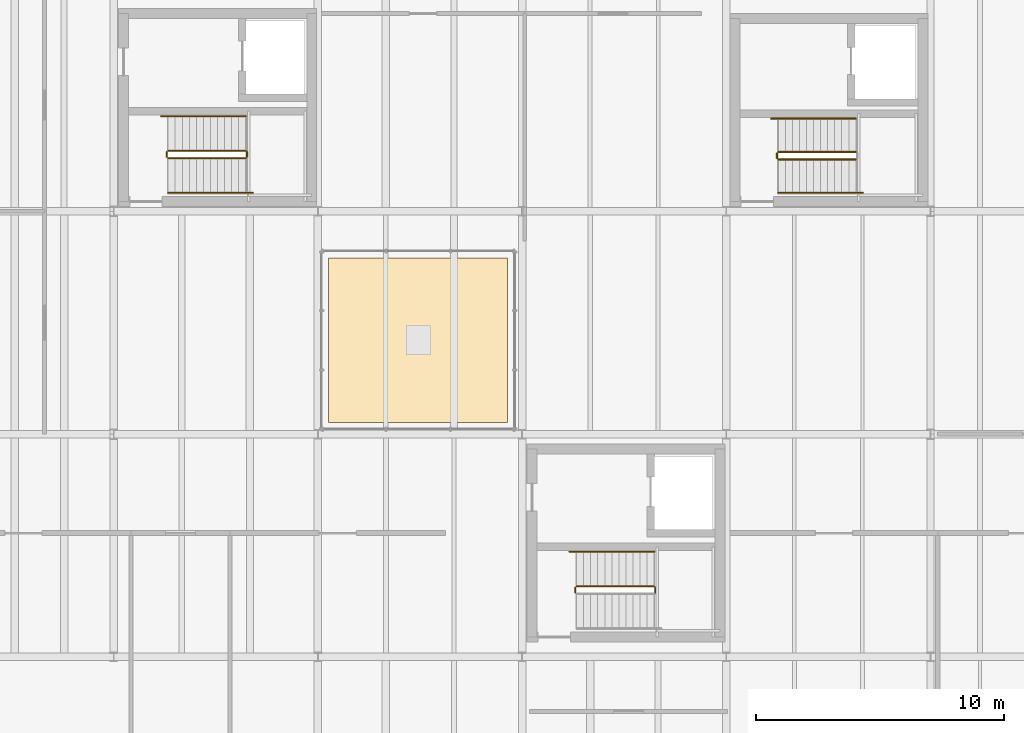
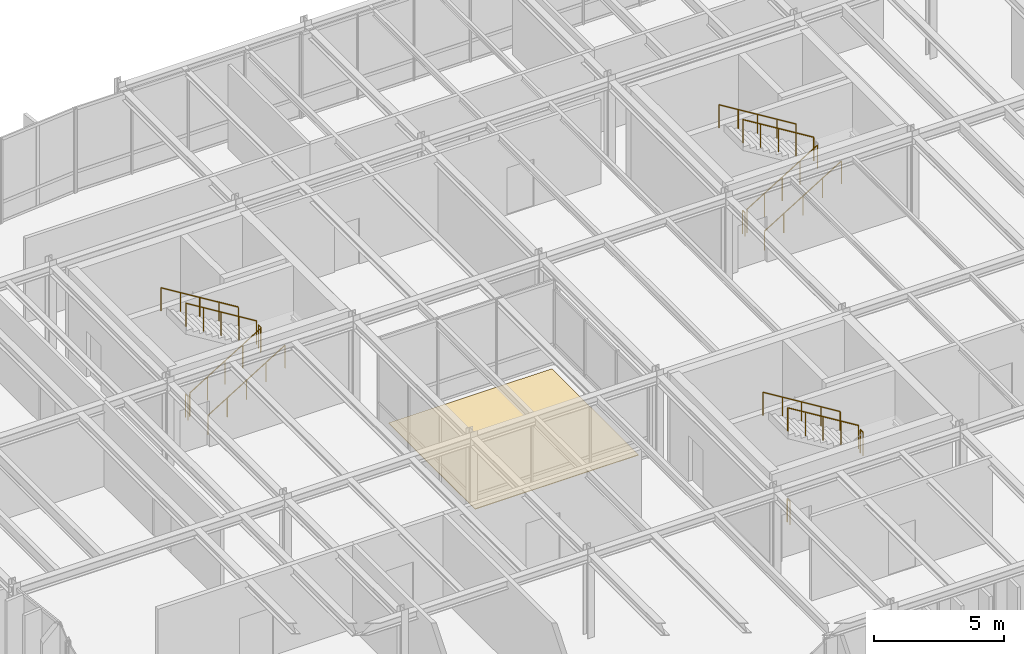
# One storey, part 27 of 31: 15 railings, 1 covering.
"""IFC4 building model written with IfcOpenShell, lengths in metres."""

from ifc_helpers import new_model, si_unit, direction, frame, origin, origin_2d, place, context, subcontext, project, spatial, polyline, circle, outline, extrude, material, layer, layer_set, type_object, element, save


model = new_model("IFC4")

# Units and contexts
model_context = context("Model", 3, precision=1e-05, world=origin(), true_north=direction((0.0, 1.0)))
body_context = subcontext(model_context, "Body", "Model", "MODEL_VIEW")
ifc_project = project(units=[si_unit("LENGTHUNIT", "METRE"), si_unit("AREAUNIT", "SQUARE_METRE"), si_unit("VOLUMEUNIT", "CUBIC_METRE"), si_unit("PLANEANGLEUNIT", "RADIAN"), si_unit("MASSUNIT", "GRAM", prefix="KILO")], contexts=[model_context])

# Site, building, storey
site_placement = place(None, origin())
site = spatial("IfcSite", under=ifc_project, at=site_placement, CompositionType="ELEMENT")
building_placement = place(site_placement, origin())
building = spatial("IfcBuilding", under=site, at=building_placement, Name="Montealbar Specialist Clinic", CompositionType="ELEMENT")
storey_placement = place(building_placement, frame((0.0, 0.0, 13.800048828125)))
storey = spatial("IfcBuildingStorey", under=building, at=storey_placement, Name="L03", CompositionType="ELEMENT", Elevation=13.800048828125)

# Covering
ifc_material_1 = material(Name="Weatherproof roofing membrane", Category="concrete")
ifc_layer_1 = layer(ifc_material_1, 0.030029296875, Name="Weatherproof roofing membrane", Category="concrete")
ifc_layer_set_1 = layer_set([ifc_layer_1], Name="Weatherproof roofing membrane")
covering_type = type_object("IfcCoveringType", Name="COV-ROOF-MEMB", PredefinedType="ROOFING", material=ifc_layer_set_1)
covering_placement = place(storey_placement, origin())
element("IfcCovering", 1, at=covering_placement, inside=storey, type_object=covering_type, Name="Weatherproof Roof Membrane ROOF-L03-03", PredefinedType="ROOFING", context=body_context, shape_type="SweptSolid", body=[
    extrude(outline(polyline([(74.679931640625, 25.1201171875), (81.919921875, 25.1201171875), (81.919921875, 18.47998046875), (74.679931640625, 18.47998046875), (74.679931640625, 25.1201171875)])), origin(), (0.0, 0.0, 1.0), 0.030029296875),
])

# Railings
ifc_material_2 = material(Name="Steel S355", Category="steel")
ifc_layer_2 = layer(ifc_material_2, 0.050048828125, Name="Steel S355", Category="steel")
ifc_layer_set_2 = layer_set([ifc_layer_2], Name="Steel S355")
railing_type_1 = type_object("IfcRailingType", Name="RAIL-STAIR-BAL-1100", PredefinedType="BALUSTRADE", material=ifc_layer_set_2)
railing_1_placement = place(storey_placement, frame((68.199951171875, 29.14990234375, 0.175048828125)))
element("IfcRailing", 2, at=railing_1_placement, inside=storey, type_object=railing_type_1, Name="L03 ST-03 stair guard 1", PredefinedType="BALUSTRADE", context=body_context, shape_type="SweptSolid", body=[
    extrude(circle(Radius=0.02392578125, at=origin_2d()), frame((0.0, 0.0, 1.076171875), z_axis=(0.852195625947, 0.0, 0.523223293744), x_axis=(0.0, 1.0, 0.0)), (0.0, 0.0, 1.0), 3.6787109375),
    extrude(circle(Radius=0.02099609375, at=origin_2d()), frame((0.0, 0.0, -0.02490234375)), (0.0, 0.0, 1.0), 1.076904296875),
    extrude(circle(Radius=0.02099609375, at=origin_2d()), frame((0.78369140625, 0.0, 0.456298828125)), (0.0, 0.0, 1.0), 1.076904296875),
    extrude(circle(Radius=0.02099609375, at=origin_2d()), frame((1.5673828125, 0.0, 0.9375)), (0.0, 0.0, 1.0), 1.076904296875),
    extrude(circle(Radius=0.02099609375, at=origin_2d()), frame((2.351318359375, 0.0, 1.418701171875)), (0.0, 0.0, 1.0), 1.076904296875),
    extrude(circle(Radius=0.02099609375, at=origin_2d()), frame((3.135009765625, 0.0, 1.89990234375)), (0.0, 0.0, 1.0), 1.076904296875),
])
railing_2_placement = place(storey_placement, frame((71.385009765625, 29.199951171875, 2.099853515625)))
element("IfcRailing", 3, at=railing_2_placement, inside=storey, type_object=railing_type_1, Name="L03 ST-03 stair guard 2", PredefinedType="BALUSTRADE", context=body_context, shape_type="SweptSolid", body=[
    extrude(circle(Radius=0.02392578125, at=origin_2d()), frame((0.0, 0.0, 1.076171875), z_axis=(0.0, 1.0, 0.0), x_axis=(-1.0, 0.0, 0.0)), (0.0, 0.0, 1.0), 0.199951171875),
    extrude(circle(Radius=0.02099609375, at=origin_2d()), frame((0.0, 0.0, -0.02490234375)), (0.0, 0.0, 1.0), 1.076904296875),
    extrude(circle(Radius=0.02099609375, at=origin_2d()), frame((0.0, 0.199951171875, -0.02490234375)), (0.0, 0.0, 1.0), 1.076904296875),
])
railing_3_placement = place(storey_placement, frame((71.3349609375, 29.449951171875, 2.27490234375)))
element("IfcRailing", 4, at=railing_3_placement, inside=storey, type_object=railing_type_1, Name="L03 ST-03 stair guard 3", PredefinedType="BALUSTRADE", context=body_context, shape_type="SweptSolid", body=[
    extrude(circle(Radius=0.02392578125, at=origin_2d()), frame((0.0, 0.0, 1.076171875), z_axis=(-0.852166034122, 0.0, 0.523271488128), x_axis=(0.0, -1.0, 0.0)), (0.0, 0.0, 1.0), 3.678955078125),
    extrude(circle(Radius=0.02099609375, at=origin_2d()), frame((0.0, 0.0, -0.02490234375)), (0.0, 0.0, 1.0), 1.076904296875),
    extrude(circle(Radius=0.02099609375, at=origin_2d()), frame((-0.78369140625, 0.0, 0.456298828125)), (0.0, 0.0, 1.0), 1.076904296875),
    extrude(circle(Radius=0.02099609375, at=origin_2d()), frame((-1.5673828125, 0.0, 0.9375)), (0.0, 0.0, 1.0), 1.076904296875),
    extrude(circle(Radius=0.02099609375, at=origin_2d()), frame((-2.351318359375, 0.0, 1.418701171875)), (0.0, 0.0, 1.0), 1.076904296875),
    extrude(circle(Radius=0.02099609375, at=origin_2d()), frame((-3.135009765625, 0.0, 1.900146484375)), (0.0, 0.0, 1.0), 1.076904296875),
])
for number, where, name in (
    (5, (68.14990234375, 29.199951171875, 0.0), "L03 ST-03 stair guard 4"),
    (6, (87.885009765625, 11.60009765625, 2.099853515625), "L03 ST-04 stair guard 2"),
):
    element("IfcRailing", number, at=place(storey_placement, frame(where)), inside=storey, type_object=railing_type_1, Name=name, PredefinedType="BALUSTRADE", context=body_context, shape_type="SweptSolid", body=[
        extrude(circle(Radius=0.02392578125, at=origin_2d()), frame((0.0, 0.0, 1.076171875), z_axis=(0.0, 1.0, 0.0), x_axis=(-1.0, 0.0, 0.0)), (0.0, 0.0, 1.0), 0.199951171875),
        extrude(circle(Radius=0.02099609375, at=origin_2d()), frame((0.0, 0.0, -0.02490234375)), (0.0, 0.0, 1.0), 1.076904296875),
        extrude(circle(Radius=0.02099609375, at=origin_2d()), frame((0.0, 0.199951171875, -0.02490234375)), (0.0, 0.0, 1.0), 1.076904296875),
    ])
railing_4_placement = place(storey_placement, frame((87.8349609375, 11.85009765625, 2.27490234375)))
element("IfcRailing", 7, at=railing_4_placement, inside=storey, type_object=railing_type_1, Name="L03 ST-04 stair guard 3", PredefinedType="BALUSTRADE", context=body_context, shape_type="SweptSolid", body=[
    extrude(circle(Radius=0.02392578125, at=origin_2d()), frame((0.0, 0.0, 1.076171875), z_axis=(-0.852166034122, 0.0, 0.523271488128), x_axis=(0.0, -1.0, 0.0)), (0.0, 0.0, 1.0), 3.678955078125),
    extrude(circle(Radius=0.02099609375, at=origin_2d()), frame((0.0, 0.0, -0.02490234375)), (0.0, 0.0, 1.0), 1.076904296875),
    extrude(circle(Radius=0.02099609375, at=origin_2d()), frame((-0.78369140625, 0.0, 0.456298828125)), (0.0, 0.0, 1.0), 1.076904296875),
    extrude(circle(Radius=0.02099609375, at=origin_2d()), frame((-1.5673828125, 0.0, 0.9375)), (0.0, 0.0, 1.0), 1.076904296875),
    extrude(circle(Radius=0.02099609375, at=origin_2d()), frame((-2.351318359375, 0.0, 1.418701171875)), (0.0, 0.0, 1.0), 1.076904296875),
    extrude(circle(Radius=0.02099609375, at=origin_2d()), frame((-3.135009765625, 0.0, 1.900146484375)), (0.0, 0.0, 1.0), 1.076904296875),
])
railing_5_placement = place(storey_placement, frame((84.64990234375, 11.60009765625, 0.0)))
element("IfcRailing", 8, at=railing_5_placement, inside=storey, type_object=railing_type_1, Name="L03 ST-04 stair guard 4", PredefinedType="BALUSTRADE", context=body_context, shape_type="SweptSolid", body=[
    extrude(circle(Radius=0.02392578125, at=origin_2d()), frame((0.0, 0.0, 1.076171875), z_axis=(0.0, 1.0, 0.0), x_axis=(-1.0, 0.0, 0.0)), (0.0, 0.0, 1.0), 0.199951171875),
    extrude(circle(Radius=0.02099609375, at=origin_2d()), frame((0.0, 0.0, -0.02490234375)), (0.0, 0.0, 1.0), 1.076904296875),
    extrude(circle(Radius=0.02099609375, at=origin_2d()), frame((0.0, 0.199951171875, -0.02490234375)), (0.0, 0.0, 1.0), 1.076904296875),
])
railing_6_placement = place(storey_placement, frame((92.85009765625, 29.10009765625, 0.175048828125)))
element("IfcRailing", 9, at=railing_6_placement, inside=storey, type_object=railing_type_1, Name="L03 ST-05 stair guard 1", PredefinedType="BALUSTRADE", context=body_context, shape_type="SweptSolid", body=[
    extrude(circle(Radius=0.02392578125, at=origin_2d()), frame((0.0, 0.0, 1.076171875), z_axis=(0.852195625947, 0.0, 0.523223293744), x_axis=(0.0, 1.0, 0.0)), (0.0, 0.0, 1.0), 3.6787109375),
    extrude(circle(Radius=0.02099609375, at=origin_2d()), frame((0.0, 0.0, -0.02490234375)), (0.0, 0.0, 1.0), 1.076904296875),
    extrude(circle(Radius=0.02099609375, at=origin_2d()), frame((0.78369140625, 0.0, 0.456298828125)), (0.0, 0.0, 1.0), 1.076904296875),
    extrude(circle(Radius=0.02099609375, at=origin_2d()), frame((1.5673828125, 0.0, 0.9375)), (0.0, 0.0, 1.0), 1.076904296875),
    extrude(circle(Radius=0.02099609375, at=origin_2d()), frame((2.351318359375, 0.0, 1.418701171875)), (0.0, 0.0, 1.0), 1.076904296875),
    extrude(circle(Radius=0.02099609375, at=origin_2d()), frame((3.135009765625, 0.0, 1.89990234375)), (0.0, 0.0, 1.0), 1.076904296875),
])
railing_7_placement = place(storey_placement, frame((95.985107421875, 29.39990234375, 2.27490234375)))
element("IfcRailing", 10, at=railing_7_placement, inside=storey, type_object=railing_type_1, Name="L03 ST-05 stair guard 3", PredefinedType="BALUSTRADE", context=body_context, shape_type="SweptSolid", body=[
    extrude(circle(Radius=0.02392578125, at=origin_2d()), frame((0.0, 0.0, 1.076171875), z_axis=(-0.852166034122, 0.0, 0.523271488128), x_axis=(0.0, -1.0, 0.0)), (0.0, 0.0, 1.0), 3.678955078125),
    extrude(circle(Radius=0.02099609375, at=origin_2d()), frame((0.0, 0.0, -0.02490234375)), (0.0, 0.0, 1.0), 1.076904296875),
    extrude(circle(Radius=0.02099609375, at=origin_2d()), frame((-0.78369140625, 0.0, 0.456298828125)), (0.0, 0.0, 1.0), 1.076904296875),
    extrude(circle(Radius=0.02099609375, at=origin_2d()), frame((-1.5673828125, 0.0, 0.9375)), (0.0, 0.0, 1.0), 1.076904296875),
    extrude(circle(Radius=0.02099609375, at=origin_2d()), frame((-2.351318359375, 0.0, 1.418701171875)), (0.0, 0.0, 1.0), 1.076904296875),
    extrude(circle(Radius=0.02099609375, at=origin_2d()), frame((-3.135009765625, 0.0, 1.900146484375)), (0.0, 0.0, 1.0), 1.076904296875),
])
railing_8_placement = place(storey_placement, frame((92.800048828125, 29.14990234375, 0.0)))
element("IfcRailing", 11, at=railing_8_placement, inside=storey, type_object=railing_type_1, Name="L03 ST-05 stair guard 4", PredefinedType="BALUSTRADE", context=body_context, shape_type="SweptSolid", body=[
    extrude(circle(Radius=0.02392578125, at=origin_2d()), frame((0.0, 0.0, 1.076171875), z_axis=(0.0, 1.0, 0.0), x_axis=(-1.0, 0.0, 0.0)), (0.0, 0.0, 1.0), 0.2001953125),
    extrude(circle(Radius=0.02099609375, at=origin_2d()), frame((0.0, 0.0, -0.02490234375)), (0.0, 0.0, 1.0), 1.076904296875),
    extrude(circle(Radius=0.02099609375, at=origin_2d()), frame((0.0, 0.2001953125, -0.02490234375)), (0.0, 0.0, 1.0), 1.076904296875),
])
ifc_layer_3 = layer(ifc_material_2, 0.044921875, Name="Steel S355", Category="steel")
ifc_layer_set_3 = layer_set([ifc_layer_3], Name="Steel S355")
railing_type_2 = type_object("IfcRailingType", Name="RAIL-STAIR-HR-900", PredefinedType="HANDRAIL", material=ifc_layer_set_3)
railing_9_placement = place(storey_placement, frame((68.199951171875, 27.75, 0.175048828125)))
element("IfcRailing", 12, at=railing_9_placement, inside=storey, type_object=railing_type_2, Name="L03 ST-03 stair handrail 1", PredefinedType="HANDRAIL", context=body_context, shape_type="SweptSolid", body=[
    extrude(circle(Radius=0.02392578125, at=origin_2d()), frame((0.0, 0.0, 0.8759765625), z_axis=(0.852198826108, 0.0, 0.523218081473), x_axis=(0.0, 1.0, 0.0)), (0.0, 0.0, 1.0), 4.013427734375),
    extrude(circle(Radius=0.02099609375, at=origin_2d()), frame((0.0, 0.0, -0.02490234375)), (0.0, 0.0, 1.0), 0.876708984375),
    extrude(circle(Radius=0.02099609375, at=origin_2d()), frame((0.85498046875, 0.0, 0.5)), (0.0, 0.0, 1.0), 0.876708984375),
    extrude(circle(Radius=0.02099609375, at=origin_2d()), frame((1.7099609375, 0.0, 1.02490234375)), (0.0, 0.0, 1.0), 0.876708984375),
    extrude(circle(Radius=0.02099609375, at=origin_2d()), frame((2.565185546875, 0.0, 1.5498046875)), (0.0, 0.0, 1.0), 0.876708984375),
    extrude(circle(Radius=0.02099609375, at=origin_2d()), frame((3.420166015625, 0.0, 1.89990234375)), (0.0, 0.0, 1.0), 1.0517578125),
])
for number, where, name in (
    (13, (71.3349609375, 30.85009765625, 2.27490234375), "L03 ST-03 stair handrail 2"),
    (14, (87.8349609375, 13.25, 2.27490234375), "L03 ST-04 stair handrail 2"),
):
    element("IfcRailing", number, at=place(storey_placement, frame(where)), inside=storey, type_object=railing_type_2, Name=name, PredefinedType="HANDRAIL", context=body_context, shape_type="SweptSolid", body=[
        extrude(circle(Radius=0.02392578125, at=origin_2d()), frame((0.0, 0.0, 0.8759765625), z_axis=(-0.852155044755, 0.0, 0.523289384279), x_axis=(0.0, -1.0, 0.0)), (0.0, 0.0, 1.0), 4.01318359375),
        extrude(circle(Radius=0.02099609375, at=origin_2d()), frame((0.0, 0.0, -0.02490234375)), (0.0, 0.0, 1.0), 0.876708984375),
        extrude(circle(Radius=0.02099609375, at=origin_2d()), frame((-0.85498046875, 0.0, 0.5)), (0.0, 0.0, 1.0), 0.876708984375),
        extrude(circle(Radius=0.02099609375, at=origin_2d()), frame((-1.7099609375, 0.0, 1.025146484375)), (0.0, 0.0, 1.0), 0.876708984375),
        extrude(circle(Radius=0.02099609375, at=origin_2d()), frame((-2.56494140625, 0.0, 1.550048828125)), (0.0, 0.0, 1.0), 0.876708984375),
        extrude(circle(Radius=0.02099609375, at=origin_2d()), frame((-3.419921875, 0.0, 1.900146484375)), (0.0, 0.0, 1.0), 1.0517578125),
    ])
railing_10_placement = place(storey_placement, frame((92.85009765625, 27.75, 0.175048828125)))
element("IfcRailing", 15, at=railing_10_placement, inside=storey, type_object=railing_type_2, Name="L03 ST-05 stair handrail 1", PredefinedType="HANDRAIL", context=body_context, shape_type="SweptSolid", body=[
    extrude(circle(Radius=0.02392578125, at=origin_2d()), frame((0.0, 0.0, 0.8759765625), z_axis=(0.852182171552, 0.0, 0.523245206847), x_axis=(0.0, 1.0, 0.0)), (0.0, 0.0, 1.0), 4.01318359375),
    extrude(circle(Radius=0.02099609375, at=origin_2d()), frame((0.0, 0.0, -0.02490234375)), (0.0, 0.0, 1.0), 0.876708984375),
    extrude(circle(Radius=0.02099609375, at=origin_2d()), frame((0.85498046875, 0.0, 0.5)), (0.0, 0.0, 1.0), 0.876708984375),
    extrude(circle(Radius=0.02099609375, at=origin_2d()), frame((1.7099609375, 0.0, 1.02490234375)), (0.0, 0.0, 1.0), 0.876708984375),
    extrude(circle(Radius=0.02099609375, at=origin_2d()), frame((2.56494140625, 0.0, 1.5498046875)), (0.0, 0.0, 1.0), 0.876708984375),
    extrude(circle(Radius=0.02099609375, at=origin_2d()), frame((3.419921875, 0.0, 1.89990234375)), (0.0, 0.0, 1.0), 1.0517578125),
])
railing_11_placement = place(storey_placement, frame((95.985107421875, 30.75, 2.27490234375)))
element("IfcRailing", 16, at=railing_11_placement, inside=storey, type_object=railing_type_2, Name="L03 ST-05 stair handrail 2", PredefinedType="HANDRAIL", context=body_context, shape_type="SweptSolid", body=[
    extrude(circle(Radius=0.02392578125, at=origin_2d()), frame((0.0, 0.0, 0.8759765625), z_axis=(-0.852171701593, 0.0, 0.523262258341), x_axis=(0.0, -1.0, 0.0)), (0.0, 0.0, 1.0), 4.013427734375),
    extrude(circle(Radius=0.02099609375, at=origin_2d()), frame((0.0, 0.0, -0.02490234375)), (0.0, 0.0, 1.0), 0.876708984375),
    extrude(circle(Radius=0.02099609375, at=origin_2d()), frame((-0.85498046875, 0.0, 0.5)), (0.0, 0.0, 1.0), 0.876708984375),
    extrude(circle(Radius=0.02099609375, at=origin_2d()), frame((-1.7099609375, 0.0, 1.025146484375)), (0.0, 0.0, 1.0), 0.876708984375),
    extrude(circle(Radius=0.02099609375, at=origin_2d()), frame((-2.565185546875, 0.0, 1.550048828125)), (0.0, 0.0, 1.0), 0.876708984375),
    extrude(circle(Radius=0.02099609375, at=origin_2d()), frame((-3.420166015625, 0.0, 1.900146484375)), (0.0, 0.0, 1.0), 1.0517578125),
])

save(model, "model.ifc")
